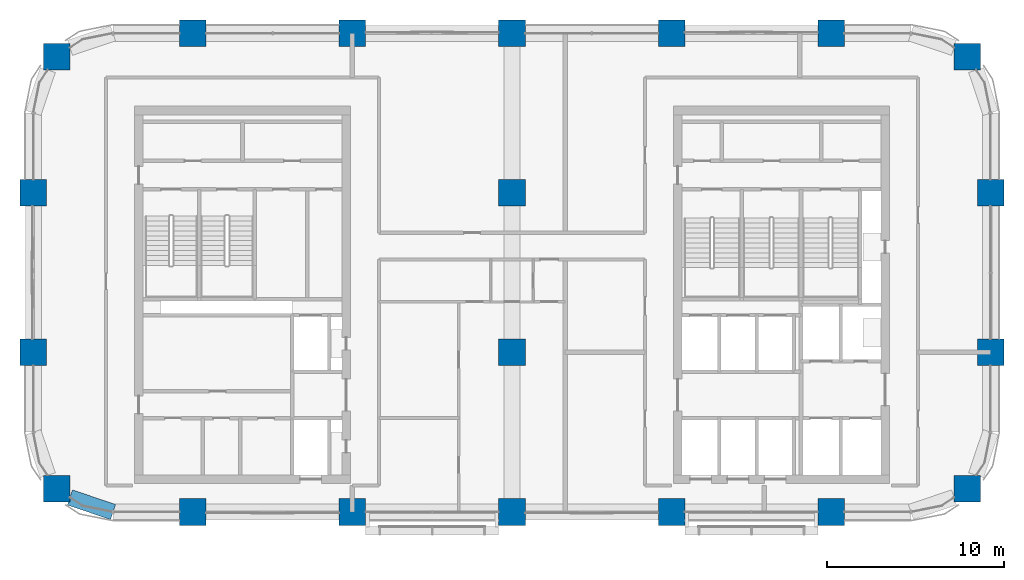
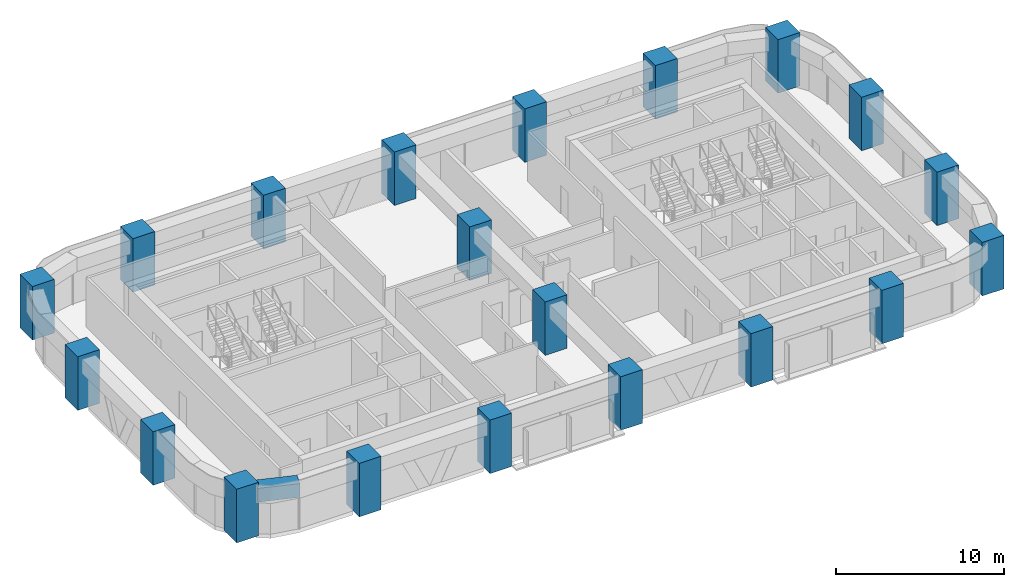
# One storey, part 1 of 13: 20 columns, 1 beam.
"""IFC4 building model written with IfcOpenShell, lengths in metres."""

from ifc_helpers import new_model, si_unit, direction, frame, origin, origin_2d, place, context, subcontext, project, spatial, rectangle, extrude, material, material_profile, profile_set, type_object, element, save


model = new_model("IFC4")

# Units and contexts
model_context = context("Model", 3, precision=1e-05, world=origin(), true_north=direction((0.0, 1.0)))
body_context = subcontext(model_context, "Body", "Model", "MODEL_VIEW")
ifc_project = project(units=[si_unit("LENGTHUNIT", "METRE"), si_unit("AREAUNIT", "SQUARE_METRE"), si_unit("VOLUMEUNIT", "CUBIC_METRE"), si_unit("PLANEANGLEUNIT", "RADIAN"), si_unit("MASSUNIT", "GRAM", prefix="KILO")], contexts=[model_context])

# Site, building, storey
site_placement = place(None, origin())
site = spatial("IfcSite", under=ifc_project, at=site_placement, CompositionType="ELEMENT")
building_placement = place(site_placement, origin())
building = spatial("IfcBuilding", under=site, at=building_placement, Name="Tessera Arch", CompositionType="ELEMENT")
storey_placement = place(building_placement, frame((0.0, 0.0, 158.300048828125)))
storey = spatial("IfcBuildingStorey", under=building, at=storey_placement, Name="L37", CompositionType="ELEMENT", Elevation=158.300048828125)

# Columns
ifc_material_1 = material(Name="Concrete C70/85", Category="concrete")
ifc_material_profile_1 = material_profile(ifc_material_1, rectangle(XDim=1.5, YDim=1.5, at=origin_2d()), Name="RC column 1500 x 1500 Concrete C70/85")
ifc_profile_set_1 = profile_set([ifc_material_profile_1], Name="Concrete C70/85")
column_type = type_object("IfcColumnType", Name="RC column 1500 x 1500 Concrete C70/85", PredefinedType="COLUMN", material=ifc_profile_set_1)
for number, where, z_axis, x_axis, name in (
    (1, (1.318115234375, 28.318115234375, 0.0), (0.0, 0.0, 1.0), (1.0, 0.0, 0.0), "Column C1D L37"),
    (2, (0.0, 36.0, 0.0), (0.0, 0.0, 1.0), (1.0, 0.0, 0.0), "Column C1E L37"),
    (3, (0.0, 45.0, 0.0), (0.0, 0.0, 1.0), (1.0, 0.0, 0.0), "Column C1F L37"),
    (4, (1.318115234375, 52.681884765625, 0.0), (0.0, 0.0, 1.0), (1.0, 0.0, 0.0), "Column C1G L37"),
    (5, (9.0, 27.0, 0.0), (0.0, 0.0, 1.0), (1.0, 0.0, 0.0), "Column C2D L37"),
    (6, (9.0, 54.0, 0.0), (0.0, 0.0, 1.0), (1.0, 0.0, 0.0), "Column C2G L37"),
    (7, (18.0, 27.0, 0.0), (0.0, 0.0, 1.0), (1.0, 0.0, 0.0), "Column C3D L37"),
    (8, (18.0, 54.0, 0.0), (0.0, 0.0, 1.0), (1.0, 0.0, 0.0), "Column C3G L37"),
    (9, (27.0, 27.0, 0.0), (0.0, 0.0, 1.0), (1.0, 0.0, 0.0), "Column C4D L37"),
    (10, (27.0, 36.0, 0.0), (0.0, 0.0, 1.0), (1.0, 0.0, 0.0), "Column C4E L37"),
    (11, (27.0, 45.0, 0.0), (0.0, 0.0, 1.0), (1.0, 0.0, 0.0), "Column C4F L37"),
    (12, (27.0, 54.0, 0.0), (0.0, 0.0, 1.0), (1.0, 0.0, 0.0), "Column C4G L37"),
    (13, (36.0, 27.0, 0.0), (0.0, 0.0, 1.0), (1.0, 0.0, 0.0), "Column C5D L37"),
    (14, (36.0, 54.0, 0.0), (0.0, 0.0, 1.0), (1.0, 0.0, 0.0), "Column C5G L37"),
    (15, (45.0, 27.0, 0.0), (0.0, 0.0, 1.0), (1.0, 0.0, 0.0), "Column C6D L37"),
    (16, (45.0, 54.0, 0.0), (0.0, 0.0, 1.0), (1.0, 0.0, 0.0), "Column C6G L37"),
    (17, (52.681884765625, 28.318115234375, 0.0), (0.0, 0.0, 1.0), (1.0, 0.0, 0.0), "Column C7D L37"),
    (18, (54.0, 36.0, 0.0), (0.0, 0.0, 1.0), (1.0, 0.0, 0.0), "Column C7E L37"),
    (19, (54.0, 45.0, 0.0), (0.0, 0.0, 1.0), (1.0, 0.0, 0.0), "Column C7F L37"),
    (20, (52.681884765625, 52.681884765625, 0.0), (0.0, 0.0, 1.0), (1.0, 0.0, 0.0), "Column C7G L37"),
):
    element("IfcColumn", number, at=place(storey_placement, frame(where, z_axis=z_axis, x_axis=x_axis)), inside=storey, type_object=column_type, Name=name, PredefinedType="COLUMN", context=body_context, shape_type="SweptSolid", body=[
        extrude(rectangle(XDim=1.5, YDim=1.5, at=origin_2d()), origin(), (0.0, 0.0, 1.0), 3.89990234375),
    ])

# Beam
ifc_material_2 = material(Name="Concrete C70/85", Category="concrete")
ifc_material_profile_2 = material_profile(ifc_material_2, rectangle(XDim=0.89990234375, YDim=1.0, at=origin_2d()), Name="RC spandrel beam 900 x 1000 Concrete C70/85")
ifc_profile_set_2 = profile_set([ifc_material_profile_2], Name="Concrete C70/85")
beam_type = type_object("IfcBeamType", Name="RC spandrel beam 900 x 1000 Concrete C70/85", PredefinedType="BEAM", material=ifc_profile_set_2)
beam_placement = place(storey_placement, frame((2.068115234375, 27.81689453125, 3.099853515625), z_axis=(0.947947973234, -0.31842525032, 0.0), x_axis=(0.31842525032, 0.947947973234, 0.0)))
element("IfcBeam", 21, at=beam_placement, inside=storey, type_object=beam_type, Name="Spandrel beam L37 S27.0/0.1", PredefinedType="BEAM", context=body_context, shape_type="SweptSolid", body=[
    extrude(rectangle(XDim=0.89990234375, YDim=1.0, at=origin_2d()), origin(), (0.0, 0.0, 1.0), 2.5654296875),
])

save(model, "model.ifc")
